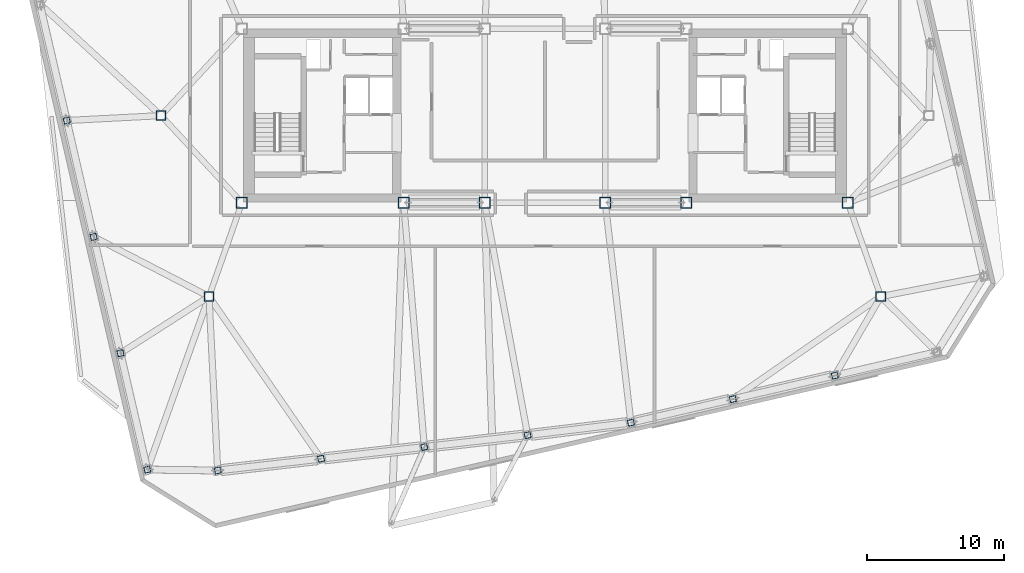
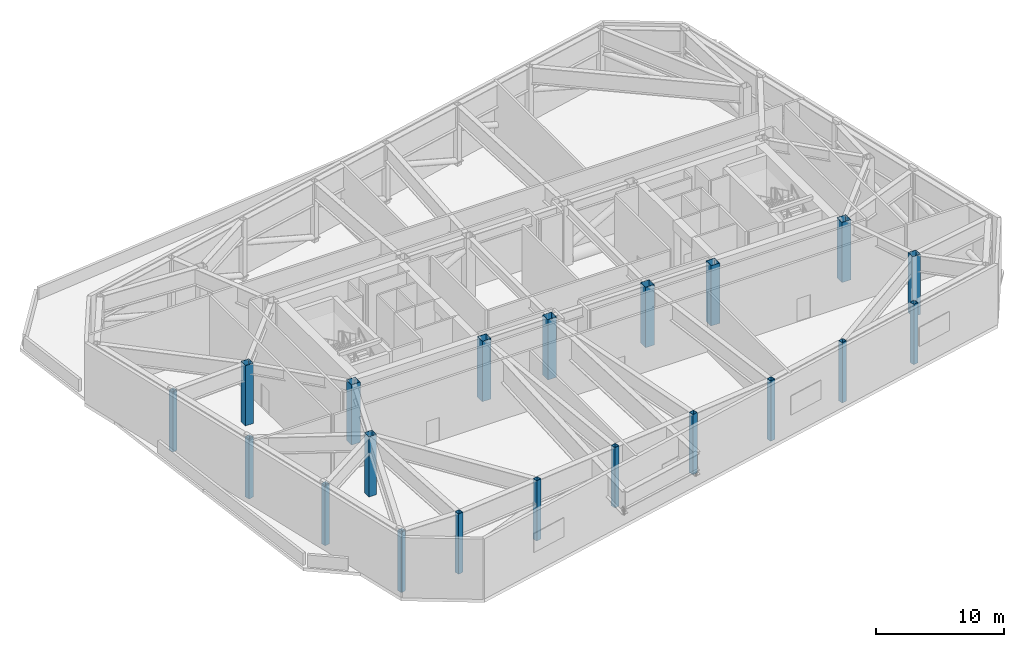
# One storey, part 1 of 15: 20 columns.
"""IFC4 building model written with IfcOpenShell, lengths in metres."""

from ifc_helpers import new_model, si_unit, direction, frame, origin, origin_2d, place, context, subcontext, project, spatial, hollow_rectangle, extrude, material, material_profile, profile_set, type_object, element, save


model = new_model("IFC4")

# Units and contexts
model_context = context("Model", 3, precision=1e-05, world=origin(), true_north=direction((0.0, 1.0)))
body_context = subcontext(model_context, "Body", "Model", "MODEL_VIEW")
ifc_project = project(units=[si_unit("LENGTHUNIT", "METRE"), si_unit("AREAUNIT", "SQUARE_METRE"), si_unit("VOLUMEUNIT", "CUBIC_METRE"), si_unit("PLANEANGLEUNIT", "RADIAN"), si_unit("MASSUNIT", "GRAM", prefix="KILO")], contexts=[model_context])

# Site, building, storey
site_placement = place(None, origin())
site = spatial("IfcSite", under=ifc_project, at=site_placement, CompositionType="ELEMENT")
building_placement = place(site_placement, origin())
building = spatial("IfcBuilding", under=site, at=building_placement, Name="Tavrogorsk Clinical Tower", CompositionType="ELEMENT")
storey_placement = place(building_placement, frame((0.0, 0.0, 271.0)))
storey = spatial("IfcBuildingStorey", under=building, at=storey_placement, Name="L63", CompositionType="ELEMENT", Elevation=271.0)

# Columns
ifc_material_1 = material(Name="Structural steel S440", Category="steel")
ifc_material_profile_1 = material_profile(ifc_material_1, hollow_rectangle(XDim=0.699951171875, YDim=0.699951171875, WallThickness=0.031982421875, at=origin_2d()), Name="BOX-700x700x32")
ifc_profile_set_1 = profile_set([ifc_material_profile_1], Name="Structural steel S440")
column_type_1 = type_object("IfcColumnType", Name="MegaCol_BOX700", PredefinedType="COLUMN", material=ifc_profile_set_1)
for number, where, z_axis, x_axis, name in (
    (1, (-24.5, -13.199951171875, 0.0), (0.0, 0.0, 1.0), (1.0, 0.0, 0.0), "L63 Spine Pilotis Column MC-P1"),
    (2, (24.5, -13.199951171875, 0.0), (0.0, 0.0, 1.0), (1.0, 0.0, 0.0), "L63 Spine Pilotis Column MC-P2"),
    (3, (-28.0, 0.0, 0.0), (0.0, 0.0, 1.0), (1.0, 0.0, 0.0), "L63 Spine Pilotis Column MC-P5"),
):
    element("IfcColumn", number, at=place(storey_placement, frame(where, z_axis=z_axis, x_axis=x_axis)), inside=storey, type_object=column_type_1, Name=name, PredefinedType="COLUMN", context=body_context, shape_type="SweptSolid", body=[
        extrude(hollow_rectangle(XDim=0.699951171875, YDim=0.699951171875, WallThickness=0.031982421875, at=origin_2d()), origin(), (0.0, 0.0, 1.0), 5.739990234375),
    ])
ifc_material_2 = material(Name="Structural steel S440", Category="steel")
ifc_material_profile_2 = material_profile(ifc_material_2, hollow_rectangle(XDim=0.800048828125, YDim=0.800048828125, WallThickness=0.035888671875, at=origin_2d()), Name="BOX-800x800x36")
ifc_profile_set_2 = profile_set([ifc_material_profile_2], Name="Structural steel S440")
column_type_2 = type_object("IfcColumnType", Name="MegaCol_BOX800", PredefinedType="COLUMN", material=ifc_profile_set_2)
for number, where, z_axis, x_axis, name in (
    (4, (-22.10009765625, -6.35009765625, 0.0), (0.0, 0.0, 1.0), (1.0, 0.0, 0.0), "L63 Mega Column MC-W1"),
    (5, (-10.300048828125, -6.35009765625, 0.0), (0.0, 0.0, 1.0), (1.0, 0.0, 0.0), "L63 Mega Column MC-W3"),
    (6, (10.300048828125, -6.35009765625, 0.0), (0.0, 0.0, 1.0), (1.0, 0.0, 0.0), "L63 Mega Column MC-E1"),
    (7, (22.10009765625, -6.35009765625, 0.0), (0.0, 0.0, 1.0), (1.0, 0.0, 0.0), "L63 Mega Column MC-E3"),
    (8, (-4.39990234375, -6.35009765625, 0.0), (0.0, 0.0, 1.0), (1.0, 0.0, 0.0), "L63 Mega Column MC-C1"),
    (9, (4.39990234375, -6.35009765625, 0.0), (0.0, 0.0, 1.0), (1.0, 0.0, 0.0), "L63 Mega Column MC-C2"),
):
    element("IfcColumn", number, at=place(storey_placement, frame(where, z_axis=z_axis, x_axis=x_axis)), inside=storey, type_object=column_type_2, Name=name, PredefinedType="COLUMN", context=body_context, shape_type="SweptSolid", body=[
        extrude(hollow_rectangle(XDim=0.800048828125, YDim=0.800048828125, WallThickness=0.035888671875, at=origin_2d()), origin(), (0.0, 0.0, 1.0), 5.739990234375),
    ])
ifc_material_3 = material(Name="Structural steel S440", Category="steel")
ifc_material_profile_3 = material_profile(ifc_material_3, hollow_rectangle(XDim=0.449951171875, YDim=0.449951171875, WallThickness=0.02197265625, at=origin_2d()), Name="BOX-450x450x22")
ifc_profile_set_3 = profile_set([ifc_material_profile_3], Name="Structural steel S440")
column_type_3 = type_object("IfcColumnType", Name="PerimCol_B5_BOX450", PredefinedType="COLUMN", material=ifc_profile_set_3)
for number, where, z_axis, x_axis, name in (
    (10, (-23.866943359375, -25.8857421875, 0.0), (0.0, 0.0, 1.0), (0.974370064785, 0.224951054344, 0.0), "L63 Perimeter Column S1"),
    (11, (-16.330322265625, -25.027099609375, 0.0), (0.0, 0.0, 1.0), (0.974370064785, 0.224951054344, 0.0), "L63 Perimeter Column S2"),
    (12, (-8.7939453125, -24.16845703125, 0.0), (0.0, 0.0, 1.0), (0.974370064785, 0.224951054344, 0.0), "L63 Perimeter Column S3"),
    (13, (-1.257568359375, -23.309814453125, 0.0), (0.0, 0.0, 1.0), (0.974370064785, 0.224951054344, 0.0), "L63 Perimeter Column S4"),
    (14, (6.272705078125, -22.39697265625, 0.0), (0.0, 0.0, 1.0), (0.974370064785, 0.224951054344, 0.0), "L63 Perimeter Column S5"),
    (15, (13.711181640625, -20.6796875, 0.0), (0.0, 0.0, 1.0), (0.974370064785, 0.224951054344, 0.0), "L63 Perimeter Column S6"),
    (16, (21.14990234375, -18.96240234375, 0.0), (0.0, 0.0, 1.0), (0.974370064785, 0.224951054344, 0.0), "L63 Perimeter Column S7"),
    (17, (-34.876708984375, -0.358642578125, 0.0), (0.0, 0.0, 1.0), (0.974370064785, 0.224951054344, 0.0), "L63 Perimeter Column W2"),
    (18, (-32.917236328125, -8.845458984375, 0.0), (0.0, 0.0, 1.0), (0.974370064785, 0.224951054344, 0.0), "L63 Perimeter Column W3"),
    (19, (-30.9580078125, -17.332275390625, 0.0), (0.0, 0.0, 1.0), (0.974370064785, 0.224951054344, 0.0), "L63 Perimeter Column W4"),
    (20, (-28.99853515625, -25.819091796875, 0.0), (0.0, 0.0, 1.0), (0.974370064785, 0.224951054344, 0.0), "L63 Perimeter Column W5"),
):
    element("IfcColumn", number, at=place(storey_placement, frame(where, z_axis=z_axis, x_axis=x_axis)), inside=storey, type_object=column_type_3, Name=name, PredefinedType="COLUMN", context=body_context, shape_type="SweptSolid", body=[
        extrude(hollow_rectangle(XDim=0.449951171875, YDim=0.449951171875, WallThickness=0.02197265625, at=origin_2d()), origin(), (0.0, 0.0, 1.0), 5.739990234375),
    ])

save(model, "model.ifc")
